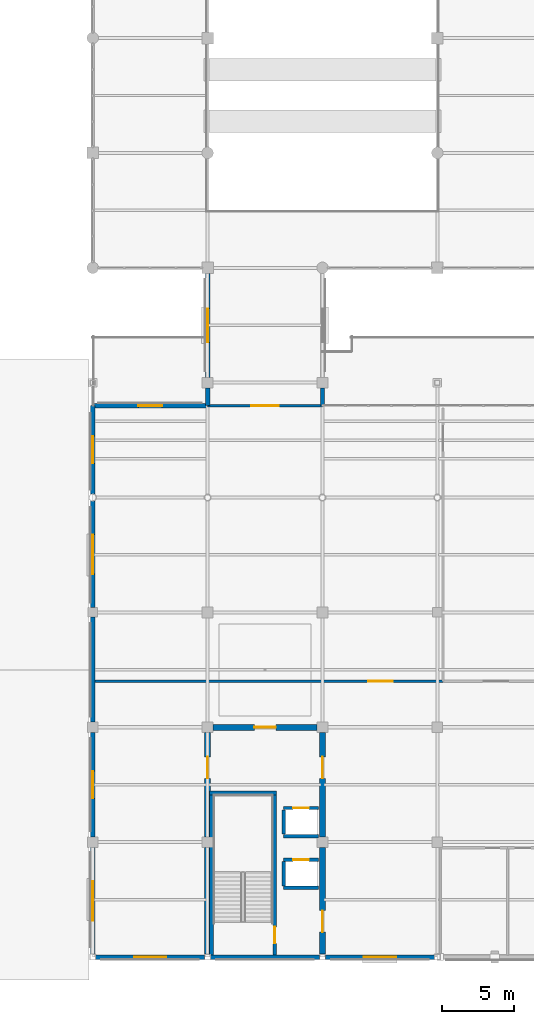
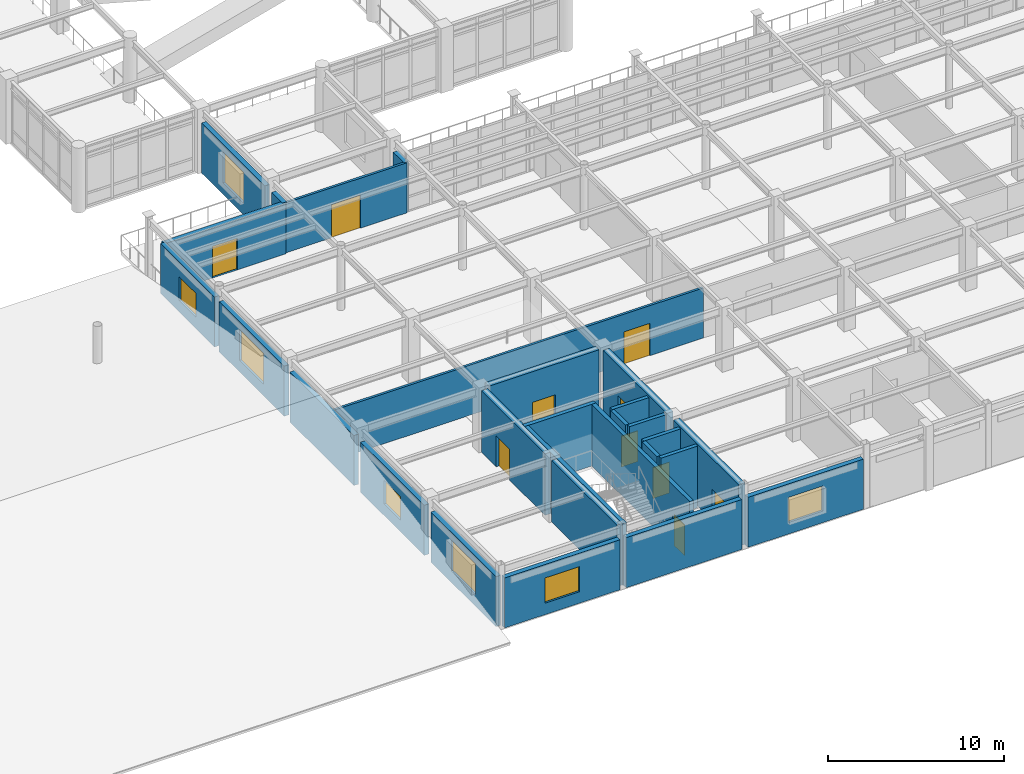
# One storey, part 83 of 111: 28 walls, 10 doors, 7 windows, 17 openings.
"""IFC4 building model written with IfcOpenShell, lengths in metres."""

import ifcopenshell
import ifcopenshell.guid

model = None  # the IFC model being written
_history = None  # IfcOwnerHistory: only IFC2X3 demands one
_inside = {}  # id of a spatial element -> (the spatial element, [elements in it])
_under = {}  # id of a project, library or spatial element -> (it, [spatial elements below it])
_declared = {}  # id of a project -> (the project, [libraries it declares])
_typed = {}  # id of a type object -> (the type object, [elements of that type])
_made_of = {}  # id of a material, layer set ... -> (it, [elements and type objects made of it])


def new_model(schema):
    """Start an empty IFC model of exactly this schema.

    Asked for "IFC4X3", IfcOpenShell would pick the latest addendum, in which some entities
    have other attributes; the version numbers below select the first issue.
    IFC2X3 requires an IfcOwnerHistory on every rooted entity: one is made here for all.
    """
    global model, _history
    if schema == "IFC4X3":
        model = ifcopenshell.file(schema_version=(4, 3, 0, 0))
    else:
        model = ifcopenshell.file(schema=schema)
    _inside.clear()
    _under.clear()
    _declared.clear()
    _typed.clear()
    _made_of.clear()
    _history = None
    if model.schema == "IFC2X3":
        org = make("IfcOrganization", Name="unknown")
        user = make(
            "IfcPersonAndOrganization",
            ThePerson=make("IfcPerson", FamilyName="unknown"),
            TheOrganization=org,
        )
        app = make(
            "IfcApplication",
            ApplicationDeveloper=org,
            Version="unknown",
            ApplicationFullName="unknown",
            ApplicationIdentifier="unknown",
        )
        _history = make(
            "IfcOwnerHistory",
            OwningUser=user,
            OwningApplication=app,
            ChangeAction="ADDED",
            CreationDate=0,
        )
    return model


def make(cls, **values):
    """One entity of the class cls with the attributes given. An attribute that is None is left unset."""
    return model.create_entity(
        cls, **{name: value for name, value in values.items() if value is not None}
    )


def rooted(cls, **values):
    """An entity with a GlobalId (a new one), such as an element, a storey or a relation."""
    return make(cls, GlobalId=ifcopenshell.guid.new(), OwnerHistory=_history, **values)


def si_unit(unit_type, name, prefix=None):
    """IfcSIUnit, for example si_unit("LENGTHUNIT", "METRE", prefix="MILLI")."""
    return make("IfcSIUnit", UnitType=unit_type, Prefix=prefix, Name=name)


def assignment(units):
    """IfcUnitAssignment: the units of a project."""
    return None if units is None else make("IfcUnitAssignment", Units=units)


def point(xyz):
    """IfcCartesianPoint."""
    return None if xyz is None else make("IfcCartesianPoint", Coordinates=xyz)


def direction(xyz):
    """IfcDirection."""
    return None if xyz is None else make("IfcDirection", DirectionRatios=xyz)


def frame(location, z_axis=None, x_axis=None):
    """IfcAxis2Placement3D, a coordinate frame: its origin and axes. An axis left out is left unset."""
    return make(
        "IfcAxis2Placement3D",
        Location=point(location),
        Axis=direction(z_axis),
        RefDirection=direction(x_axis),
    )


def frame_2d(location, x_axis=None):
    """IfcAxis2Placement2D, a coordinate frame in the plane: its origin and x axis."""
    return make(
        "IfcAxis2Placement2D", Location=point(location), RefDirection=direction(x_axis)
    )


def origin():
    """The frame at (0, 0, 0) with its axes left unset."""
    return frame((0.0, 0.0, 0.0))


def place(relative_to, where):
    """IfcLocalPlacement: puts the frame where relative to a parent placement (None: the world)."""
    return make(
        "IfcLocalPlacement", PlacementRelTo=relative_to, RelativePlacement=where
    )


def context(
    kind, dimensions, precision=None, world=None, true_north=None, identifier=None
):
    """IfcGeometricRepresentationContext, for example the 3D "Model" context."""
    return make(
        "IfcGeometricRepresentationContext",
        ContextIdentifier=identifier,
        ContextType=kind,
        CoordinateSpaceDimension=dimensions,
        Precision=precision,
        WorldCoordinateSystem=world,
        TrueNorth=true_north,
    )


def subcontext(parent, identifier, kind, view, scale=None):
    """IfcGeometricRepresentationSubContext, for example "Body" below "Model"."""
    return make(
        "IfcGeometricRepresentationSubContext",
        ContextIdentifier=identifier,
        ContextType=kind,
        ParentContext=parent,
        TargetScale=scale,
        TargetView=view,
    )


def project(units=None, contexts=None):
    """IfcProject with its units and contexts."""
    return rooted(
        "IfcProject",
        Name="project",
        RepresentationContexts=contexts,
        UnitsInContext=assignment(units),
    )


def spatial(cls, under=None, at=None, **own):
    """A site, building, storey or space (cls), placed at a placement, below another one or the project."""
    s = rooted(cls, ObjectPlacement=at, **own)
    if under is not None:
        _under.setdefault(under.id(), (under, []))[1].append(s)
    return s


def profile(cls, at=None, kind="AREA", **sizes):
    """A parametric profile (cls). Its sizes go by their IFC names, for example OverallWidth=200.0."""
    return make(cls, ProfileType=kind, Position=at, **sizes)


def rectangle(**sizes):
    """IfcRectangleProfileDef."""
    return profile("IfcRectangleProfileDef", **sizes)


def extrude(swept, where, along, depth):
    """IfcExtrudedAreaSolid: the profile swept, set in the frame where, extruded along a direction by depth."""
    return make(
        "IfcExtrudedAreaSolid",
        SweptArea=swept,
        Position=where,
        ExtrudedDirection=direction(along),
        Depth=depth,
    )


def shape(context_of_items, identifier, shape_type, items):
    """IfcShapeRepresentation: the items that make up one representation, for example the "Body"."""
    return make(
        "IfcShapeRepresentation",
        ContextOfItems=context_of_items,
        RepresentationIdentifier=identifier,
        RepresentationType=shape_type,
        Items=items,
    )


def material(Name=None, Category=None):
    """IfcMaterial."""
    return make("IfcMaterial", Name=Name, Category=Category)


def layer(
    of_material, thickness, ventilated=None, Name=None, Category=None, Priority=None
):
    """IfcMaterialLayer: one layer of a wall or slab, of a material (None: an air gap)."""
    return make(
        "IfcMaterialLayer",
        Material=of_material,
        LayerThickness=thickness,
        IsVentilated=ventilated,
        Name=Name,
        Category=Category,
        Priority=Priority,
    )


def layer_set(layers, Name=None):
    """IfcMaterialLayerSet."""
    return make("IfcMaterialLayerSet", MaterialLayers=layers, LayerSetName=Name)


def made_of(thing, what):
    """Note that an element or type object is made of a material, layer set ...; save() writes the relation."""
    if what is not None:
        _made_of.setdefault(what.id(), (what, []))[1].append(thing)
    return thing


def type_object(cls, material=None, **own):
    """A type object (cls), such as IfcWallType, which elements share."""
    return made_of(rooted(cls, **own), material)


def element(
    cls,
    number,
    at=None,
    inside=None,
    cuts=None,
    type_object=None,
    material=None,
    context=None,
    identifier="Body",
    shape_type=None,
    held_by="IfcProductDefinitionShape",
    body=None,
    shapes=None,
    **own,
):
    """One element of the class cls, such as IfcWall. Its Tag is "e" and its number.

    at: its placement. inside: the storey or other place that contains it. cuts: it is an
    opening in that element (IfcRelVoidsElement). A single representation is given by context,
    identifier, shape_type and body (its items); several are given by shapes. held_by: the class
    of the entity that holds the representations. save() writes the other relations.
    """
    e = rooted(cls, Tag="e%d" % number, ObjectPlacement=at, **own)
    if body is not None:
        shapes = [shape(context, identifier, shape_type, body)]
    if shapes is not None:
        e.Representation = make(held_by, Representations=shapes)
    if inside is not None:
        _inside.setdefault(inside.id(), (inside, []))[1].append(e)
    if cuts is not None:
        rooted(
            "IfcRelVoidsElement", RelatingBuildingElement=cuts, RelatedOpeningElement=e
        )
    if type_object is not None:
        _typed.setdefault(type_object.id(), (type_object, []))[1].append(e)
    return made_of(e, material)


def fill(opening, filler):
    """IfcRelFillsElement: the door or window that sits in an opening."""
    return rooted(
        "IfcRelFillsElement",
        RelatingOpeningElement=opening,
        RelatedBuildingElement=filler,
    )


def aggregate(whole, parts):
    """IfcRelAggregates: a whole, such as a stair, and the parts it consists of."""
    return rooted("IfcRelAggregates", RelatingObject=whole, RelatedObjects=parts)


def save(model, path):
    """Write the relations noted so far, then the file.

    IfcRelAggregates (storeys below a building ...), IfcRelContainedInSpatialStructure (elements
    in a storey), IfcRelDefinesByType, IfcRelAssociatesMaterial and IfcRelDeclares: one each for
    every whole, place, type object, material and project.
    """
    for whole, parts in _under.values():
        aggregate(whole, parts)
    for where, things in _inside.values():
        rooted(
            "IfcRelContainedInSpatialStructure",
            RelatedElements=things,
            RelatingStructure=where,
        )
    for kind, things in _typed.values():
        rooted("IfcRelDefinesByType", RelatedObjects=things, RelatingType=kind)
    for what, things in _made_of.values():
        rooted("IfcRelAssociatesMaterial", RelatedObjects=things, RelatingMaterial=what)
    for by, libraries in _declared.values():
        rooted("IfcRelDeclares", RelatingContext=by, RelatedDefinitions=libraries)
    model.write(path)


model = new_model("IFC4")

# Units and contexts
model_context = context("Model", 3, precision=1e-05, world=origin(), true_north=direction((0.0, 1.0)))
body_context = subcontext(model_context, "Body", "Model", "MODEL_VIEW")
ifc_project = project(units=[si_unit("LENGTHUNIT", "METRE"), si_unit("AREAUNIT", "SQUARE_METRE"), si_unit("VOLUMEUNIT", "CUBIC_METRE"), si_unit("PLANEANGLEUNIT", "RADIAN"), si_unit("MASSUNIT", "GRAM", prefix="KILO")], contexts=[model_context])

# Site, building, storey
site_placement = place(None, origin())
site = spatial("IfcSite", under=ifc_project, at=site_placement, CompositionType="ELEMENT")
building_placement = place(site_placement, origin())
building = spatial("IfcBuilding", under=site, at=building_placement, Name="Solmirada Galleria", CompositionType="ELEMENT")
storey_placement = place(building_placement, frame((0.0, 0.0, 10.39990234375)))
storey = spatial("IfcBuildingStorey", under=building, at=storey_placement, Name="L02", CompositionType="ELEMENT", Elevation=10.39990234375)

# Wall, opening, door
ifc_material_1 = material(Name="Concrete C40/50", Category="concrete")
ifc_layer_1 = layer(ifc_material_1, 0.419921875)
ifc_layer_set_1 = layer_set([ifc_layer_1], Name="Concrete C40/50")
wall_type_1 = type_object("IfcWallType", Name="WL-CORE-420", PredefinedType="SHEAR", material=ifc_layer_set_1)
wall_1_placement = place(storey_placement, frame((88.375, 16.0, 0.0), z_axis=(0.0, 0.0, 1.0), x_axis=(1.0, 0.0, 0.0)))
wall_1 = element("IfcWall", 1, at=wall_1_placement, inside=storey, type_object=wall_type_1, Name="Core C2 shear wall L02 N1", PredefinedType="SHEAR", context=body_context, shape_type="SweptSolid", body=[
    extrude(rectangle(XDim=7.25, YDim=0.419921875, at=frame_2d((3.625, 0.0))), origin(), (0.0, 0.0, 1.0), 4.280029296875),
])
opening_1_placement = place(wall_1_placement, frame((2.875, 0.0, 0.0)))
opening_1 = element("IfcOpeningElement", 2, at=opening_1_placement, cuts=wall_1, Name="Opening LDY-145", PredefinedType="OPENING", context=body_context, shape_type="SweptSolid", body=[
    extrude(rectangle(XDim=1.5, YDim=2.14990234375, at=frame_2d((0.75, 1.074951171875))), frame((0.0, 0.219970703125, 0.0), z_axis=(0.0, -1.0, 0.0), x_axis=(1.0, 0.0, 0.0)), (0.0, 0.0, 1.0), 0.43994140625),
])
ifc_material_2 = material(Name="Fire-rated painted steel door assembly", Category="steel")
door_type_1 = type_object("IfcDoorType", Name="DR-LOBBY-150X215", OperationType="DOUBLE_DOOR_SINGLE_SWING", PredefinedType="DOOR", material=ifc_material_2)
door_1_placement = place(opening_1_placement, origin())
door_1 = element("IfcDoor", 3, at=door_1_placement, inside=storey, type_object=door_type_1, Name="Core C2 lobby access fire door LDY-145", OperationType="DOUBLE_DOOR_SINGLE_SWING", OverallHeight=2.14990234375, OverallWidth=1.5, PredefinedType="DOOR", context=body_context, shape_type="SweptSolid", body=[
    extrude(rectangle(XDim=1.5, YDim=2.14990234375, at=frame_2d((0.75, 1.074951171875))), frame((0.0, 0.02490234375, 0.0), z_axis=(0.0, -1.0, 0.0), x_axis=(1.0, 0.0, 0.0)), (0.0, 0.0, 1.0), 0.050048828125),
])
fill(opening_1, door_1)

# Wall
wall_2_placement = place(storey_placement, frame((88.0, 0.202880859375, 0.0), z_axis=(0.0, 0.0, 1.0), x_axis=(0.0, 1.0, 0.0)))
element("IfcWall", 4, at=wall_2_placement, inside=storey, type_object=wall_type_1, Name="Core C2 shear wall L02 W1", PredefinedType="SHEAR", context=body_context, shape_type="SweptSolid", body=[
    extrude(rectangle(XDim=7.422119140625, YDim=0.419921875, at=frame_2d((3.7109375, 0.0))), origin(), (0.0, 0.0, 1.0), 4.280029296875),
])

# Wall, opening, door
wall_3_placement = place(storey_placement, frame((88.0, 8.375, 0.0), z_axis=(0.0, 0.0, 1.0), x_axis=(0.0, 1.0, 0.0)))
wall_3 = element("IfcWall", 5, at=wall_3_placement, inside=storey, type_object=wall_type_1, Name="Core C2 shear wall L02 W2", PredefinedType="SHEAR", context=body_context, shape_type="SweptSolid", body=[
    extrude(rectangle(XDim=7.25, YDim=0.419921875, at=frame_2d((3.625, 0.0))), origin(), (0.0, 0.0, 1.0), 4.280029296875),
])
opening_2_placement = place(wall_3_placement, frame((4.06201171875, 0.0, 0.0)))
opening_2 = element("IfcOpeningElement", 6, at=opening_2_placement, cuts=wall_3, Name="Opening LDY-146", PredefinedType="OPENING", context=body_context, shape_type="SweptSolid", body=[
    extrude(rectangle(XDim=1.5, YDim=2.14990234375, at=frame_2d((0.75, 1.074951171875))), frame((0.0, 0.219970703125, 0.0), z_axis=(0.0, -1.0, 0.0), x_axis=(1.0, 0.0, 0.0)), (0.0, 0.0, 1.0), 0.43994140625),
])
door_2_placement = place(opening_2_placement, origin())
door_2 = element("IfcDoor", 7, at=door_2_placement, inside=storey, type_object=door_type_1, Name="Core C2 lobby access fire door LDY-146", OperationType="DOUBLE_DOOR_SINGLE_SWING", OverallHeight=2.14990234375, OverallWidth=1.5, PredefinedType="DOOR", context=body_context, shape_type="SweptSolid", body=[
    extrude(rectangle(XDim=1.5, YDim=2.14990234375, at=frame_2d((0.75, 1.074951171875))), frame((0.0, 0.02490234375, 0.0), z_axis=(0.0, -1.0, 0.0), x_axis=(1.0, 0.0, 0.0)), (0.0, 0.0, 1.0), 0.050048828125),
])
fill(opening_2, door_2)

wall_4_placement = place(storey_placement, frame((96.0, 0.202880859375, 0.0), z_axis=(0.0, 0.0, 1.0), x_axis=(0.0, 1.0, 0.0)))
wall_4 = element("IfcWall", 8, at=wall_4_placement, inside=storey, type_object=wall_type_1, Name="Core C2 shear wall L02 E1", PredefinedType="SHEAR", context=body_context, shape_type="SweptSolid", body=[
    extrude(rectangle(XDim=7.422119140625, YDim=0.419921875, at=frame_2d((3.7109375, 0.0))), origin(), (0.0, 0.0, 1.0), 4.280029296875),
])
opening_3_placement = place(wall_4_placement, frame((1.52294921875, 0.0, 0.0)))
opening_3 = element("IfcOpeningElement", 9, at=opening_3_placement, cuts=wall_4, Name="Opening LDY-147", PredefinedType="OPENING", context=body_context, shape_type="SweptSolid", body=[
    extrude(rectangle(XDim=1.5, YDim=2.14990234375, at=frame_2d((0.75, 1.074951171875))), frame((0.0, 0.219970703125, 0.0), z_axis=(0.0, -1.0, 0.0), x_axis=(1.0, 0.0, 0.0)), (0.0, 0.0, 1.0), 0.43994140625),
])
door_3_placement = place(opening_3_placement, origin())
door_3 = element("IfcDoor", 10, at=door_3_placement, inside=storey, type_object=door_type_1, Name="Core C2 lobby access fire door LDY-147", OperationType="DOUBLE_DOOR_SINGLE_SWING", OverallHeight=2.14990234375, OverallWidth=1.5, PredefinedType="DOOR", context=body_context, shape_type="SweptSolid", body=[
    extrude(rectangle(XDim=1.5, YDim=2.14990234375, at=frame_2d((0.75, 1.074951171875))), frame((0.0, 0.02490234375, 0.0), z_axis=(0.0, -1.0, 0.0), x_axis=(1.0, 0.0, 0.0)), (0.0, 0.0, 1.0), 0.050048828125),
])
fill(opening_3, door_3)

wall_5_placement = place(storey_placement, frame((96.0, 8.375, 0.0), z_axis=(0.0, 0.0, 1.0), x_axis=(0.0, 1.0, 0.0)))
wall_5 = element("IfcWall", 11, at=wall_5_placement, inside=storey, type_object=wall_type_1, Name="Core C2 shear wall L02 E2", PredefinedType="SHEAR", context=body_context, shape_type="SweptSolid", body=[
    extrude(rectangle(XDim=7.25, YDim=0.419921875, at=frame_2d((3.625, 0.0))), origin(), (0.0, 0.0, 1.0), 4.280029296875),
])
opening_4_placement = place(wall_5_placement, frame((4.06201171875, 0.0, 0.0)))
opening_4 = element("IfcOpeningElement", 12, at=opening_4_placement, cuts=wall_5, Name="Opening LDY-148", PredefinedType="OPENING", context=body_context, shape_type="SweptSolid", body=[
    extrude(rectangle(XDim=1.5, YDim=2.14990234375, at=frame_2d((0.75, 1.074951171875))), frame((0.0, 0.219970703125, 0.0), z_axis=(0.0, -1.0, 0.0), x_axis=(1.0, 0.0, 0.0)), (0.0, 0.0, 1.0), 0.43994140625),
])
door_4_placement = place(opening_4_placement, origin())
door_4 = element("IfcDoor", 13, at=door_4_placement, inside=storey, type_object=door_type_1, Name="Core C2 lobby access fire door LDY-148", OperationType="DOUBLE_DOOR_SINGLE_SWING", OverallHeight=2.14990234375, OverallWidth=1.5, PredefinedType="DOOR", context=body_context, shape_type="SweptSolid", body=[
    extrude(rectangle(XDim=1.5, YDim=2.14990234375, at=frame_2d((0.75, 1.074951171875))), frame((0.0, 0.02490234375, 0.0), z_axis=(0.0, -1.0, 0.0), x_axis=(1.0, 0.0, 0.0)), (0.0, 0.0, 1.0), 0.050048828125),
])
fill(opening_4, door_4)

# Wall, opening, window
ifc_material_3 = material(Name="Precast concrete C40/50", Category="concrete")
ifc_layer_2 = layer(ifc_material_3, 0.31005859375)
ifc_layer_set_2 = layer_set([ifc_layer_2], Name="Precast concrete C40/50")
wall_type_2 = type_object("IfcWallType", Name="WL-EXT-310", PredefinedType="STANDARD", material=ifc_layer_set_2)
wall_6_placement = place(storey_placement, frame((103.797119140625, 0.0, 0.0), z_axis=(0.0, 0.0, 1.0), x_axis=(-1.0, 0.0, 0.0)))
wall_6 = element("IfcWall", 14, at=wall_6_placement, inside=storey, type_object=wall_type_2, Name="Exterior wall L02 bay 010", PredefinedType="STANDARD", context=body_context, shape_type="SweptSolid", body=[
    extrude(rectangle(XDim=7.59423828125, YDim=0.31005859375, at=frame_2d((3.797119140625, 0.0))), origin(), (0.0, 0.0, 1.0), 3.47998046875),
])
opening_5_placement = place(wall_6_placement, frame((2.672119140625, 0.0, 0.800048828125)))
opening_5 = element("IfcOpeningElement", 15, at=opening_5_placement, cuts=wall_6, Name="Opening WN9", PredefinedType="OPENING", context=body_context, shape_type="SweptSolid", body=[
    extrude(rectangle(XDim=2.25, YDim=1.75, at=frame_2d((1.125, 0.875))), frame((0.0, 0.1650390625, 0.0), z_axis=(0.0, -1.0, 0.0), x_axis=(1.0, 0.0, 0.0)), (0.0, 0.0, 1.0), 0.330078125),
])
ifc_material_4 = material(Name="Impact-resistant low-E double glazing", Category="glass")
window_type_1 = type_object("IfcWindowType", Name="WIN-LOG-225X175", PartitioningType="DOUBLE_PANEL_VERTICAL", PredefinedType="WINDOW", material=ifc_material_4)
window_1_placement = place(opening_5_placement, origin())
window_1 = element("IfcWindow", 16, at=window_1_placement, inside=storey, type_object=window_type_1, Name="Window L02-040", OverallHeight=1.75, OverallWidth=2.25, PartitioningType="DOUBLE_PANEL_VERTICAL", PredefinedType="WINDOW", context=body_context, shape_type="SweptSolid", body=[
    extrude(rectangle(XDim=2.25, YDim=1.75, at=frame_2d((1.125, 0.875))), frame((0.0, 0.030029296875, 0.0), z_axis=(0.0, -1.0, 0.0), x_axis=(1.0, 0.0, 0.0)), (0.0, 0.0, 1.0), 0.06005859375),
])
fill(opening_5, window_1)

# Wall
wall_7_placement = place(storey_placement, frame((95.797119140625, 0.0, 0.0), z_axis=(0.0, 0.0, 1.0), x_axis=(-1.0, 0.0, 0.0)))
element("IfcWall", 17, at=wall_7_placement, inside=storey, type_object=wall_type_2, Name="Exterior wall L02 bay 011", PredefinedType="STANDARD", context=body_context, shape_type="SweptSolid", body=[
    extrude(rectangle(XDim=7.59423828125, YDim=0.31005859375, at=frame_2d((3.797119140625, 0.0))), origin(), (0.0, 0.0, 1.0), 3.47998046875),
])

# Wall, opening, window
wall_8_placement = place(storey_placement, frame((87.797119140625, 0.0, 0.0), z_axis=(0.0, 0.0, 1.0), x_axis=(-1.0, 0.0, 0.0)))
wall_8 = element("IfcWall", 18, at=wall_8_placement, inside=storey, type_object=wall_type_2, Name="Exterior wall L02 bay 012", PredefinedType="STANDARD", context=body_context, shape_type="SweptSolid", body=[
    extrude(rectangle(XDim=7.59423828125, YDim=0.31005859375, at=frame_2d((3.797119140625, 0.0))), origin(), (0.0, 0.0, 1.0), 3.47998046875),
])
opening_6_placement = place(wall_8_placement, frame((2.672119140625, 0.0, 0.800048828125)))
opening_6 = element("IfcOpeningElement", 19, at=opening_6_placement, cuts=wall_8, Name="Opening WN9", PredefinedType="OPENING", context=body_context, shape_type="SweptSolid", body=[
    extrude(rectangle(XDim=2.25, YDim=1.75, at=frame_2d((1.125, 0.875))), frame((0.0, 0.1650390625, 0.0), z_axis=(0.0, -1.0, 0.0), x_axis=(1.0, 0.0, 0.0)), (0.0, 0.0, 1.0), 0.330078125),
])
window_2_placement = place(opening_6_placement, origin())
window_2 = element("IfcWindow", 20, at=window_2_placement, inside=storey, type_object=window_type_1, Name="Window L02-041", OverallHeight=1.75, OverallWidth=2.25, PartitioningType="DOUBLE_PANEL_VERTICAL", PredefinedType="WINDOW", context=body_context, shape_type="SweptSolid", body=[
    extrude(rectangle(XDim=2.25, YDim=1.75, at=frame_2d((1.125, 0.875))), frame((0.0, 0.030029296875, 0.0), z_axis=(0.0, -1.0, 0.0), x_axis=(1.0, 0.0, 0.0)), (0.0, 0.0, 1.0), 0.06005859375),
])
fill(opening_6, window_2)

wall_9_placement = place(storey_placement, frame((80.0, 0.202880859375, 0.0), z_axis=(0.0, 0.0, 1.0), x_axis=(0.0, 1.0, 0.0)))
wall_9 = element("IfcWall", 21, at=wall_9_placement, inside=storey, type_object=wall_type_2, Name="Exterior wall L02 bay 013", PredefinedType="STANDARD", context=body_context, shape_type="SweptSolid", body=[
    extrude(rectangle(XDim=7.422119140625, YDim=0.31005859375, at=frame_2d((3.7109375, 0.0))), origin(), (0.0, 0.0, 1.0), 3.47998046875),
])
opening_7_placement = place(wall_9_placement, frame((2.3359375, 0.0, 0.800048828125)))
opening_7 = element("IfcOpeningElement", 22, at=opening_7_placement, cuts=wall_9, Name="Opening WN33", PredefinedType="OPENING", context=body_context, shape_type="SweptSolid", body=[
    extrude(rectangle(XDim=2.75, YDim=2.14990234375, at=frame_2d((1.375, 1.074951171875))), frame((0.0, 0.1650390625, 0.0), z_axis=(0.0, -1.0, 0.0), x_axis=(1.0, 0.0, 0.0)), (0.0, 0.0, 1.0), 0.330078125),
])
window_type_2 = type_object("IfcWindowType", Name="WIN-BRAS-275X215", PartitioningType="TRIPLE_PANEL_VERTICAL", PredefinedType="WINDOW", material=ifc_material_4)
window_3_placement = place(opening_7_placement, origin())
window_3 = element("IfcWindow", 23, at=window_3_placement, inside=storey, type_object=window_type_2, Name="Window L02-042", OverallHeight=2.14990234375, OverallWidth=2.75, PartitioningType="TRIPLE_PANEL_VERTICAL", PredefinedType="WINDOW", context=body_context, shape_type="SweptSolid", body=[
    extrude(rectangle(XDim=2.75, YDim=2.14990234375, at=frame_2d((1.375, 1.074951171875))), frame((0.0, 0.030029296875, 0.0), z_axis=(0.0, -1.0, 0.0), x_axis=(1.0, 0.0, 0.0)), (0.0, 0.0, 1.0), 0.06005859375),
])
fill(opening_7, window_3)

wall_10_placement = place(storey_placement, frame((80.0, 8.375, 0.0), z_axis=(0.0, 0.0, 1.0), x_axis=(0.0, 1.0, 0.0)))
wall_10 = element("IfcWall", 24, at=wall_10_placement, inside=storey, type_object=wall_type_2, Name="Exterior wall L02 bay 014", PredefinedType="STANDARD", context=body_context, shape_type="SweptSolid", body=[
    extrude(rectangle(XDim=7.25, YDim=0.31005859375, at=frame_2d((3.625, 0.0))), origin(), (0.0, 0.0, 1.0), 3.47998046875),
])
opening_8_placement = place(wall_10_placement, frame((2.675048828125, 0.0, 0.800048828125)))
opening_8 = element("IfcOpeningElement", 25, at=opening_8_placement, cuts=wall_10, Name="Opening WN18", PredefinedType="OPENING", context=body_context, shape_type="SweptSolid", body=[
    extrude(rectangle(XDim=1.89990234375, YDim=1.64990234375, at=frame_2d((0.949951171875, 0.824951171875))), frame((0.0, 0.1650390625, 0.0), z_axis=(0.0, -1.0, 0.0), x_axis=(1.0, 0.0, 0.0)), (0.0, 0.0, 1.0), 0.330078125),
])
window_type_3 = type_object("IfcWindowType", Name="WIN-FH-190X165", PartitioningType="DOUBLE_PANEL_VERTICAL", PredefinedType="WINDOW", material=ifc_material_4)
window_4_placement = place(opening_8_placement, origin())
window_4 = element("IfcWindow", 26, at=window_4_placement, inside=storey, type_object=window_type_3, Name="Window L02-043", OverallHeight=1.64990234375, OverallWidth=1.89990234375, PartitioningType="DOUBLE_PANEL_VERTICAL", PredefinedType="WINDOW", context=body_context, shape_type="SweptSolid", body=[
    extrude(rectangle(XDim=1.89990234375, YDim=1.64990234375, at=frame_2d((0.949951171875, 0.824951171875))), frame((0.0, 0.030029296875, 0.0), z_axis=(0.0, -1.0, 0.0), x_axis=(1.0, 0.0, 0.0)), (0.0, 0.0, 1.0), 0.06005859375),
])
fill(opening_8, window_4)

# Wall
wall_11_placement = place(storey_placement, frame((80.0, 16.375, 0.0), z_axis=(0.0, 0.0, 1.0), x_axis=(0.0, 1.0, 0.0)))
element("IfcWall", 27, at=wall_11_placement, inside=storey, type_object=wall_type_2, Name="Exterior wall L02 bay 015", PredefinedType="STANDARD", context=body_context, shape_type="SweptSolid", body=[
    extrude(rectangle(XDim=7.300048828125, YDim=0.31005859375, at=frame_2d((3.64990234375, 0.0))), origin(), (0.0, 0.0, 1.0), 3.47998046875),
])

# Wall, opening, window
wall_12_placement = place(storey_placement, frame((80.0, 24.324951171875, 0.0), z_axis=(0.0, 0.0, 1.0), x_axis=(0.0, 1.0, 0.0)))
wall_12 = element("IfcWall", 28, at=wall_12_placement, inside=storey, type_object=wall_type_2, Name="Exterior wall L02 bay 016", PredefinedType="STANDARD", context=body_context, shape_type="SweptSolid", body=[
    extrude(rectangle(XDim=7.421142578125, YDim=0.31005859375, at=frame_2d((3.71044921875, 0.0))), origin(), (0.0, 0.0, 1.0), 3.47998046875),
])
opening_9_placement = place(wall_12_placement, frame((2.3349609375, 0.0, 0.800048828125)))
opening_9 = element("IfcOpeningElement", 29, at=opening_9_placement, cuts=wall_12, Name="Opening WN33", PredefinedType="OPENING", context=body_context, shape_type="SweptSolid", body=[
    extrude(rectangle(XDim=2.75, YDim=2.14990234375, at=frame_2d((1.375, 1.074951171875))), frame((0.0, 0.1650390625, 0.0), z_axis=(0.0, -1.0, 0.0), x_axis=(1.0, 0.0, 0.0)), (0.0, 0.0, 1.0), 0.330078125),
])
window_5_placement = place(opening_9_placement, origin())
window_5 = element("IfcWindow", 30, at=window_5_placement, inside=storey, type_object=window_type_2, Name="Window L02-044", OverallHeight=2.14990234375, OverallWidth=2.75, PartitioningType="TRIPLE_PANEL_VERTICAL", PredefinedType="WINDOW", context=body_context, shape_type="SweptSolid", body=[
    extrude(rectangle(XDim=2.75, YDim=2.14990234375, at=frame_2d((1.375, 1.074951171875))), frame((0.0, 0.030029296875, 0.0), z_axis=(0.0, -1.0, 0.0), x_axis=(1.0, 0.0, 0.0)), (0.0, 0.0, 1.0), 0.06005859375),
])
fill(opening_9, window_5)

wall_13_placement = place(storey_placement, frame((80.0, 32.25390625, 0.0), z_axis=(0.0, 0.0, 1.0), x_axis=(0.0, 1.0, 0.0)))
wall_13 = element("IfcWall", 31, at=wall_13_placement, inside=storey, type_object=wall_type_2, Name="Exterior wall L02 bay 017", PredefinedType="STANDARD", context=body_context, shape_type="SweptSolid", body=[
    extrude(rectangle(XDim=6.14599609375, YDim=0.31005859375, at=frame_2d((3.072998046875, 0.0))), origin(), (0.0, 0.0, 1.0), 3.47998046875),
])
opening_10_placement = place(wall_13_placement, frame((2.123046875, 0.0, 0.800048828125)))
opening_10 = element("IfcOpeningElement", 32, at=opening_10_placement, cuts=wall_13, Name="Opening WN18", PredefinedType="OPENING", context=body_context, shape_type="SweptSolid", body=[
    extrude(rectangle(XDim=1.89990234375, YDim=1.64990234375, at=frame_2d((0.949951171875, 0.824951171875))), frame((0.0, 0.1650390625, 0.0), z_axis=(0.0, -1.0, 0.0), x_axis=(1.0, 0.0, 0.0)), (0.0, 0.0, 1.0), 0.330078125),
])
window_6_placement = place(opening_10_placement, origin())
window_6 = element("IfcWindow", 33, at=window_6_placement, inside=storey, type_object=window_type_3, Name="Window L02-045", OverallHeight=1.64990234375, OverallWidth=1.89990234375, PartitioningType="DOUBLE_PANEL_VERTICAL", PredefinedType="WINDOW", context=body_context, shape_type="SweptSolid", body=[
    extrude(rectangle(XDim=1.89990234375, YDim=1.64990234375, at=frame_2d((0.949951171875, 0.824951171875))), frame((0.0, 0.030029296875, 0.0), z_axis=(0.0, -1.0, 0.0), x_axis=(1.0, 0.0, 0.0)), (0.0, 0.0, 1.0), 0.06005859375),
])
fill(opening_10, window_6)

# Wall, opening, door
wall_14_placement = place(storey_placement, frame((80.0, 38.39990234375, 0.0), z_axis=(0.0, 0.0, 1.0), x_axis=(1.0, 0.0, 0.0)))
wall_14 = element("IfcWall", 34, at=wall_14_placement, inside=storey, type_object=wall_type_2, Name="Exterior wall L02 bay 018", PredefinedType="STANDARD", context=body_context, shape_type="SweptSolid", body=[
    extrude(rectangle(XDim=8.0, YDim=0.31005859375, at=frame_2d((4.0, 0.0))), origin(), (0.0, 0.0, 1.0), 3.47998046875),
])
opening_11_placement = place(wall_14_placement, frame((3.175048828125, 0.0, 0.0)))
opening_11 = element("IfcOpeningElement", 35, at=opening_11_placement, cuts=wall_14, Name="Opening TD-060", PredefinedType="OPENING", context=body_context, shape_type="SweptSolid", body=[
    extrude(rectangle(XDim=1.64990234375, YDim=2.199951171875, at=frame_2d((0.824951171875, 1.10009765625))), frame((0.0, 0.1650390625, 0.0), z_axis=(0.0, -1.0, 0.0), x_axis=(1.0, 0.0, 0.0)), (0.0, 0.0, 1.0), 0.330078125),
])
ifc_material_5 = material(Name="Thermally broken aluminium and laminated glass door", Category="aluminium")
door_type_2 = type_object("IfcDoorType", Name="DR-TERR-165X220", OperationType="DOUBLE_DOOR_SINGLE_SWING", PredefinedType="DOOR", material=ifc_material_5)
door_5_placement = place(opening_11_placement, origin())
door_5 = element("IfcDoor", 36, at=door_5_placement, inside=storey, type_object=door_type_2, Name="Planted terrace access door TD-060", OperationType="DOUBLE_DOOR_SINGLE_SWING", OverallHeight=2.199951171875, OverallWidth=1.64990234375, PredefinedType="DOOR", context=body_context, shape_type="SweptSolid", body=[
    extrude(rectangle(XDim=1.64990234375, YDim=2.199951171875, at=frame_2d((0.824951171875, 1.10009765625))), frame((0.0, 0.02490234375, 0.0), z_axis=(0.0, -1.0, 0.0), x_axis=(1.0, 0.0, 0.0)), (0.0, 0.0, 1.0), 0.050048828125),
])
fill(opening_11, door_5)

# Wall
wall_15_placement = place(storey_placement, frame((88.0, 38.39990234375, 0.0), z_axis=(0.0, 0.0, 1.0), x_axis=(0.0, 1.0, 0.0)))
element("IfcWall", 37, at=wall_15_placement, inside=storey, type_object=wall_type_2, Name="Exterior wall L02 bay 019", PredefinedType="STANDARD", context=body_context, shape_type="SweptSolid", body=[
    extrude(rectangle(XDim=1.22509765625, YDim=0.31005859375, at=frame_2d((0.612548828125, 0.0))), origin(), (0.0, 0.0, 1.0), 3.47998046875),
])

# Wall, opening, window
wall_16_placement = place(storey_placement, frame((88.0, 40.375, 0.0), z_axis=(0.0, 0.0, 1.0), x_axis=(0.0, 1.0, 0.0)))
wall_16 = element("IfcWall", 38, at=wall_16_placement, inside=storey, type_object=wall_type_2, Name="Exterior wall L02 bay 020", PredefinedType="STANDARD", context=body_context, shape_type="SweptSolid", body=[
    extrude(rectangle(XDim=7.22509765625, YDim=0.31005859375, at=frame_2d((3.612548828125, 0.0))), origin(), (0.0, 0.0, 1.0), 3.47998046875),
])
opening_12_placement = place(wall_16_placement, frame((2.43798828125, 0.0, 0.800048828125)))
opening_12 = element("IfcOpeningElement", 39, at=opening_12_placement, cuts=wall_16, Name="Opening WN2", PredefinedType="OPENING", context=body_context, shape_type="SweptSolid", body=[
    extrude(rectangle(XDim=2.35009765625, YDim=2.14990234375, at=frame_2d((1.175048828125, 1.074951171875))), frame((0.0, 0.1650390625, 0.0), z_axis=(0.0, -1.0, 0.0), x_axis=(1.0, 0.0, 0.0)), (0.0, 0.0, 1.0), 0.330078125),
])
window_type_4 = type_object("IfcWindowType", Name="WIN-AVE-235X215", PartitioningType="DOUBLE_PANEL_VERTICAL", PredefinedType="WINDOW", material=ifc_material_4)
window_7_placement = place(opening_12_placement, origin())
window_7 = element("IfcWindow", 40, at=window_7_placement, inside=storey, type_object=window_type_4, Name="Window L02-046", OverallHeight=2.14990234375, OverallWidth=2.35009765625, PartitioningType="DOUBLE_PANEL_VERTICAL", PredefinedType="WINDOW", context=body_context, shape_type="SweptSolid", body=[
    extrude(rectangle(XDim=2.35009765625, YDim=2.14990234375, at=frame_2d((1.175048828125, 1.074951171875))), frame((0.0, 0.030029296875, 0.0), z_axis=(0.0, -1.0, 0.0), x_axis=(1.0, 0.0, 0.0)), (0.0, 0.0, 1.0), 0.06005859375),
])
fill(opening_12, window_7)

# Wall
wall_17_placement = place(storey_placement, frame((96.0, 39.625, 0.0), z_axis=(0.0, 0.0, 1.0), x_axis=(0.0, -1.0, 0.0)))
element("IfcWall", 41, at=wall_17_placement, inside=storey, type_object=wall_type_2, Name="Exterior wall L02 bay 082", PredefinedType="STANDARD", context=body_context, shape_type="SweptSolid", body=[
    extrude(rectangle(XDim=1.22509765625, YDim=0.31005859375, at=frame_2d((0.612548828125, 0.0))), origin(), (0.0, 0.0, 1.0), 3.47998046875),
])

# Wall, opening, door
ifc_layer_3 = layer(ifc_material_1, 0.239990234375)
ifc_layer_set_3 = layer_set([ifc_layer_3], Name="Concrete C40/50")
wall_type_3 = type_object("IfcWallType", Name="WL-HOIST-240", PredefinedType="PARTITIONING", material=ifc_layer_set_3)
wall_18_placement = place(storey_placement, frame((93.294921875, 6.780029296875, 0.0), z_axis=(0.0, 0.0, 1.0), x_axis=(1.0, 0.0, 0.0)))
wall_18 = element("IfcWall", 42, at=wall_18_placement, inside=storey, type_object=wall_type_3, Name="Lift LP3 hoistway front wall L02", PredefinedType="PARTITIONING", context=body_context, shape_type="SweptSolid", body=[
    extrude(rectangle(XDim=2.41015625, YDim=0.239990234375, at=frame_2d((1.205078125, 0.0))), origin(), (0.0, 0.0, 1.0), 4.280029296875),
])
opening_13_placement = place(wall_18_placement, frame((0.655029296875, 0.0, 0.0)))
opening_13 = element("IfcOpeningElement", 43, at=opening_13_placement, cuts=wall_18, Name="Opening LD-LP3-L02", PredefinedType="OPENING", context=body_context, shape_type="SweptSolid", body=[
    extrude(rectangle(XDim=1.10009765625, YDim=2.14990234375, at=frame_2d((0.550048828125, 1.074951171875))), frame((0.0, 0.1298828125, 0.0), z_axis=(0.0, -1.0, 0.0), x_axis=(1.0, 0.0, 0.0)), (0.0, 0.0, 1.0), 0.260009765625),
])
ifc_material_6 = material(Name="Brushed stainless-steel sliding landing door", Category="steel")
door_type_3 = type_object("IfcDoorType", Name="DR-LIFT-110X215", OperationType="SLIDING_TO_LEFT", PredefinedType="DOOR", material=ifc_material_6)
door_6_placement = place(opening_13_placement, origin())
door_6 = element("IfcDoor", 44, at=door_6_placement, inside=storey, type_object=door_type_3, Name="Lift LP3 sliding landing door L02", OperationType="SLIDING_TO_LEFT", OverallHeight=2.14990234375, OverallWidth=1.10009765625, PredefinedType="DOOR", context=body_context, shape_type="SweptSolid", body=[
    extrude(rectangle(XDim=1.10009765625, YDim=2.14990234375, at=frame_2d((0.550048828125, 1.074951171875))), frame((0.0, 0.02490234375, 0.0), z_axis=(0.0, -1.0, 0.0), x_axis=(1.0, 0.0, 0.0)), (0.0, 0.0, 1.0), 0.050048828125),
])
fill(opening_13, door_6)

# Walls
wall_19_placement = place(storey_placement, frame((93.294921875, 4.820068359375, 0.0), z_axis=(0.0, 0.0, 1.0), x_axis=(1.0, 0.0, 0.0)))
element("IfcWall", 45, at=wall_19_placement, inside=storey, type_object=wall_type_3, Name="Lift LP3 hoistway rear wall L02", PredefinedType="PARTITIONING", context=body_context, shape_type="SweptSolid", body=[
    extrude(rectangle(XDim=2.41015625, YDim=0.239990234375, at=frame_2d((1.205078125, 0.0))), origin(), (0.0, 0.0, 1.0), 4.280029296875),
])
wall_20_placement = place(storey_placement, frame((93.294921875, 4.9599609375, 0.0), z_axis=(0.0, 0.0, 1.0), x_axis=(0.0, 1.0, 0.0)))
element("IfcWall", 46, at=wall_20_placement, inside=storey, type_object=wall_type_3, Name="Lift LP3 hoistway side wall L L02", PredefinedType="PARTITIONING", context=body_context, shape_type="SweptSolid", body=[
    extrude(rectangle(XDim=1.679931640625, YDim=0.239990234375, at=frame_2d((0.83984375, 0.0))), origin(), (0.0, 0.0, 1.0), 4.280029296875),
])

# Wall, opening, door
wall_21_placement = place(storey_placement, frame((93.294921875, 10.3798828125, 0.0), z_axis=(0.0, 0.0, 1.0), x_axis=(1.0, 0.0, 0.0)))
wall_21 = element("IfcWall", 47, at=wall_21_placement, inside=storey, type_object=wall_type_3, Name="Lift LP4 hoistway front wall L02", PredefinedType="PARTITIONING", context=body_context, shape_type="SweptSolid", body=[
    extrude(rectangle(XDim=2.41015625, YDim=0.239990234375, at=frame_2d((1.205078125, 0.0))), origin(), (0.0, 0.0, 1.0), 4.280029296875),
])
opening_14_placement = place(wall_21_placement, frame((0.655029296875, 0.0, 0.0)))
opening_14 = element("IfcOpeningElement", 48, at=opening_14_placement, cuts=wall_21, Name="Opening LD-LP4-L02", PredefinedType="OPENING", context=body_context, shape_type="SweptSolid", body=[
    extrude(rectangle(XDim=1.10009765625, YDim=2.14990234375, at=frame_2d((0.550048828125, 1.074951171875))), frame((0.0, 0.1298828125, 0.0), z_axis=(0.0, -1.0, 0.0), x_axis=(1.0, 0.0, 0.0)), (0.0, 0.0, 1.0), 0.260009765625),
])
door_7_placement = place(opening_14_placement, origin())
door_7 = element("IfcDoor", 49, at=door_7_placement, inside=storey, type_object=door_type_3, Name="Lift LP4 sliding landing door L02", OperationType="SLIDING_TO_LEFT", OverallHeight=2.14990234375, OverallWidth=1.10009765625, PredefinedType="DOOR", context=body_context, shape_type="SweptSolid", body=[
    extrude(rectangle(XDim=1.10009765625, YDim=2.14990234375, at=frame_2d((0.550048828125, 1.074951171875))), frame((0.0, 0.02490234375, 0.0), z_axis=(0.0, -1.0, 0.0), x_axis=(1.0, 0.0, 0.0)), (0.0, 0.0, 1.0), 0.050048828125),
])
fill(opening_14, door_7)

# Walls
wall_22_placement = place(storey_placement, frame((93.294921875, 8.419921875, 0.0), z_axis=(0.0, 0.0, 1.0), x_axis=(1.0, 0.0, 0.0)))
element("IfcWall", 50, at=wall_22_placement, inside=storey, type_object=wall_type_3, Name="Lift LP4 hoistway rear wall L02", PredefinedType="PARTITIONING", context=body_context, shape_type="SweptSolid", body=[
    extrude(rectangle(XDim=2.41015625, YDim=0.239990234375, at=frame_2d((1.205078125, 0.0))), origin(), (0.0, 0.0, 1.0), 4.280029296875),
])
wall_23_placement = place(storey_placement, frame((93.294921875, 8.56005859375, 0.0), z_axis=(0.0, 0.0, 1.0), x_axis=(0.0, 1.0, 0.0)))
element("IfcWall", 51, at=wall_23_placement, inside=storey, type_object=wall_type_3, Name="Lift LP4 hoistway side wall L L02", PredefinedType="PARTITIONING", context=body_context, shape_type="SweptSolid", body=[
    extrude(rectangle(XDim=1.679931640625, YDim=0.239990234375, at=frame_2d((0.83984375, 0.0))), origin(), (0.0, 0.0, 1.0), 4.280029296875),
])

# Wall, opening, door
ifc_material_7 = material(Name="Acoustic gypsum board partition")
ifc_layer_4 = layer(ifc_material_7, 0.159912109375)
ifc_layer_set_4 = layer_set([ifc_layer_4], Name="Acoustic gypsum board partition")
wall_type_4 = type_object("IfcWallType", Name="WL-PART-160", PredefinedType="PARTITIONING", material=ifc_layer_set_4)
wall_24_placement = place(storey_placement, frame((80.14990234375, 19.199951171875, 0.0), z_axis=(0.0, 0.0, 1.0), x_axis=(1.0, 0.0, 0.0)))
wall_24 = element("IfcWall", 52, at=wall_24_placement, inside=storey, type_object=wall_type_4, Name="Partition L02-082 (South Gallery W L02)", PredefinedType="PARTITIONING", context=body_context, shape_type="SweptSolid", body=[
    extrude(rectangle(XDim=24.25, YDim=0.159912109375, at=frame_2d((12.125, 0.0))), origin(), (0.0, 0.0, 1.0), 3.47998046875),
])
opening_15_placement = place(wall_24_placement, frame((19.032958984375, 0.0, 0.0)))
opening_15 = element("IfcOpeningElement", 53, at=opening_15_placement, cuts=wall_24, Name="Opening ID-315", PredefinedType="OPENING", context=body_context, shape_type="SweptSolid", body=[
    extrude(rectangle(XDim=1.699951171875, YDim=2.25, at=frame_2d((0.85009765625, 1.125))), frame((0.0, 0.08984375, 0.0), z_axis=(0.0, -1.0, 0.0), x_axis=(1.0, 0.0, 0.0)), (0.0, 0.0, 1.0), 0.179931640625),
])
ifc_material_8 = material(Name="Architectural hardwood veneer door", Category="wood")
door_type_4 = type_object("IfcDoorType", Name="DR-DEPT-170X225", OperationType="DOUBLE_DOOR_SINGLE_SWING", PredefinedType="DOOR", material=ifc_material_8)
door_8_placement = place(opening_15_placement, origin())
door_8 = element("IfcDoor", 54, at=door_8_placement, inside=storey, type_object=door_type_4, Name="South Gallery W L02 door ID-315", OperationType="DOUBLE_DOOR_SINGLE_SWING", OverallHeight=2.25, OverallWidth=1.699951171875, PredefinedType="DOOR", context=body_context, shape_type="SweptSolid", body=[
    extrude(rectangle(XDim=1.699951171875, YDim=2.25, at=frame_2d((0.85009765625, 1.125))), frame((0.0, 0.02490234375, 0.0), z_axis=(0.0, -1.0, 0.0), x_axis=(1.0, 0.0, 0.0)), (0.0, 0.0, 1.0), 0.050048828125),
])
fill(opening_15, door_8)

wall_25_placement = place(storey_placement, frame((88.0, 38.39990234375, 0.0), z_axis=(0.0, 0.0, 1.0), x_axis=(1.0, 0.0, 0.0)))
wall_25 = element("IfcWall", 55, at=wall_25_placement, inside=storey, type_object=wall_type_4, Name="Partition L02-087 (South Atrium Link L02)", PredefinedType="PARTITIONING", context=body_context, shape_type="SweptSolid", body=[
    extrude(rectangle(XDim=8.0, YDim=0.159912109375, at=frame_2d((4.0, 0.0))), origin(), (0.0, 0.0, 1.0), 3.47998046875),
])
opening_16_placement = place(wall_25_placement, frame((3.050048828125, 0.0, 0.0)))
opening_16 = element("IfcOpeningElement", 56, at=opening_16_placement, cuts=wall_25, Name="Opening ID-320", PredefinedType="OPENING", context=body_context, shape_type="SweptSolid", body=[
    extrude(rectangle(XDim=1.89990234375, YDim=2.300048828125, at=frame_2d((0.949951171875, 1.14990234375))), frame((0.0, 0.08984375, 0.0), z_axis=(0.0, -1.0, 0.0), x_axis=(1.0, 0.0, 0.0)), (0.0, 0.0, 1.0), 0.179931640625),
])
door_type_5 = type_object("IfcDoorType", Name="DR-DEPT-190X230", OperationType="DOUBLE_DOOR_SINGLE_SWING", PredefinedType="DOOR", material=ifc_material_8)
door_9_placement = place(opening_16_placement, origin())
door_9 = element("IfcDoor", 57, at=door_9_placement, inside=storey, type_object=door_type_5, Name="South Atrium Link L02 door ID-320", OperationType="DOUBLE_DOOR_SINGLE_SWING", OverallHeight=2.300048828125, OverallWidth=1.89990234375, PredefinedType="DOOR", context=body_context, shape_type="SweptSolid", body=[
    extrude(rectangle(XDim=1.89990234375, YDim=2.300048828125, at=frame_2d((0.949951171875, 1.14990234375))), frame((0.0, 0.02490234375, 0.0), z_axis=(0.0, -1.0, 0.0), x_axis=(1.0, 0.0, 0.0)), (0.0, 0.0, 1.0), 0.050048828125),
])
fill(opening_16, door_9)

# Walls
ifc_layer_5 = layer(ifc_material_1, 0.260009765625)
ifc_layer_set_5 = layer_set([ifc_layer_5], Name="Concrete C40/50")
wall_type_5 = type_object("IfcWallType", Name="WL-SHAFT-260", PredefinedType="SHEAR", material=ifc_layer_set_5)
wall_26_placement = place(storey_placement, frame((88.139892578125, 11.429931640625, 0.0), z_axis=(0.0, 0.0, 1.0), x_axis=(1.0, 0.0, 0.0)))
element("IfcWall", 58, at=wall_26_placement, inside=storey, type_object=wall_type_5, Name="Stair ST2 enclosure wall L02 N", PredefinedType="SHEAR", context=body_context, shape_type="SweptSolid", body=[
    extrude(rectangle(XDim=4.670166015625, YDim=0.260009765625, at=frame_2d((2.3349609375, 0.0))), origin(), (0.0, 0.0, 1.0), 4.280029296875),
])
wall_27_placement = place(storey_placement, frame((88.27001953125, 0.14501953125, 0.0), z_axis=(0.0, 0.0, 1.0), x_axis=(0.0, 1.0, 0.0)))
element("IfcWall", 59, at=wall_27_placement, inside=storey, type_object=wall_type_5, Name="Stair ST2 enclosure wall L02 W", PredefinedType="SHEAR", context=body_context, shape_type="SweptSolid", body=[
    extrude(rectangle(XDim=11.155029296875, YDim=0.260009765625, at=frame_2d((5.57763671875, 0.0))), origin(), (0.0, 0.0, 1.0), 4.280029296875),
])

# Wall, opening, door
wall_28_placement = place(storey_placement, frame((92.679931640625, 0.14501953125, 0.0), z_axis=(0.0, 0.0, 1.0), x_axis=(0.0, 1.0, 0.0)))
wall_28 = element("IfcWall", 60, at=wall_28_placement, inside=storey, type_object=wall_type_5, Name="Stair ST2 enclosure wall L02 E", PredefinedType="SHEAR", context=body_context, shape_type="SweptSolid", body=[
    extrude(rectangle(XDim=11.155029296875, YDim=0.260009765625, at=frame_2d((5.57763671875, 0.0))), origin(), (0.0, 0.0, 1.0), 4.280029296875),
])
opening_17_placement = place(wall_28_placement, frame((0.804931640625, 0.0, 0.0)))
opening_17 = element("IfcOpeningElement", 61, at=opening_17_placement, cuts=wall_28, Name="Opening SD-144", PredefinedType="OPENING", context=body_context, shape_type="SweptSolid", body=[
    extrude(rectangle(XDim=1.14990234375, YDim=2.14990234375, at=frame_2d((0.574951171875, 1.074951171875))), frame((0.0, 0.139892578125, 0.0), z_axis=(0.0, -1.0, 0.0), x_axis=(1.0, 0.0, 0.0)), (0.0, 0.0, 1.0), 0.280029296875),
])
door_type_6 = type_object("IfcDoorType", Name="DR-STAIR-115X215", OperationType="NOTDEFINED", PredefinedType="DOOR", material=ifc_material_2)
door_10_placement = place(opening_17_placement, origin())
door_10 = element("IfcDoor", 62, at=door_10_placement, inside=storey, type_object=door_type_6, Name="Exit stair ST2 enclosure fire door SD-144", OperationType="SINGLE_SWING_RIGHT", OverallHeight=2.14990234375, OverallWidth=1.14990234375, PredefinedType="DOOR", context=body_context, shape_type="SweptSolid", body=[
    extrude(rectangle(XDim=1.14990234375, YDim=2.14990234375, at=frame_2d((0.574951171875, 1.074951171875))), frame((0.0, 0.02490234375, 0.0), z_axis=(0.0, -1.0, 0.0), x_axis=(1.0, 0.0, 0.0)), (0.0, 0.0, 1.0), 0.050048828125),
])
fill(opening_17, door_10)

save(model, "model.ifc")
